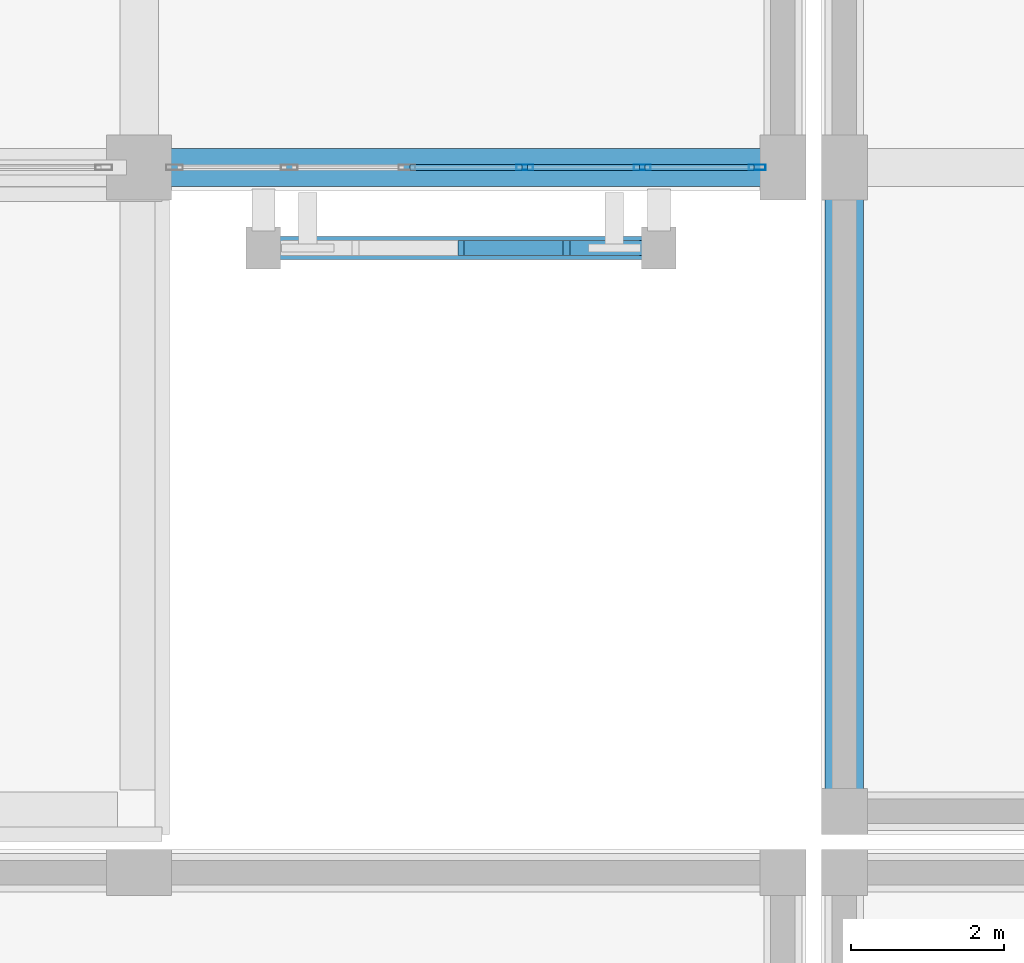
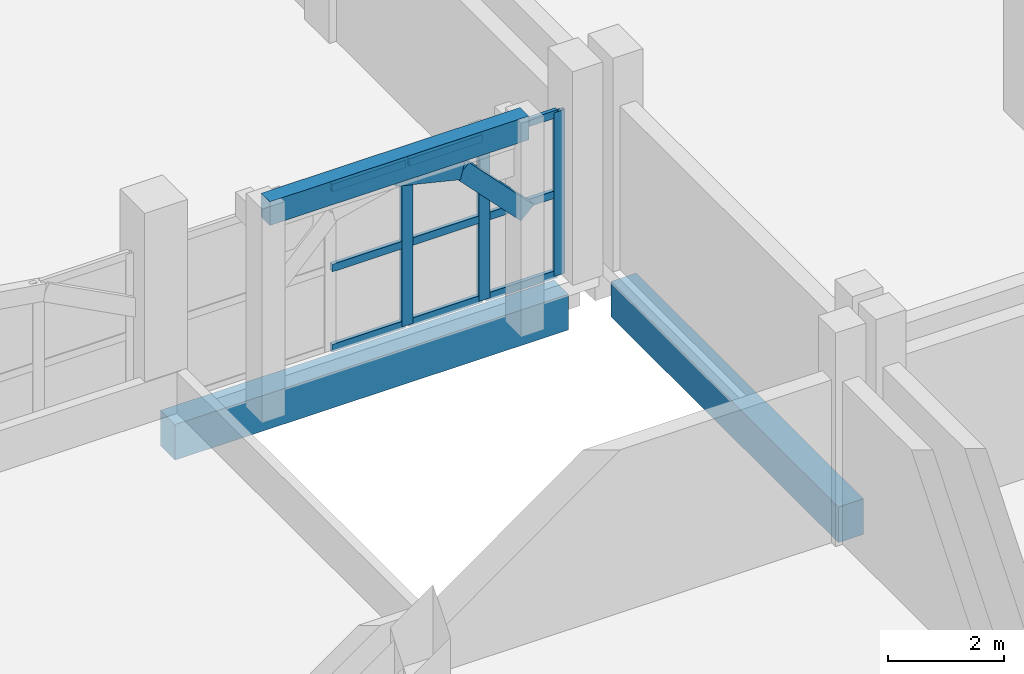
# One storey, part 42 of 137: 14 members, 3 beams, 1 element without a shape of its own.
"""IFC4 building model written with IfcOpenShell, lengths in metres."""

from ifc_helpers import new_model, si_unit, direction, frame, origin, origin_2d, place, context, subcontext, project, spatial, rectangle, hollow_rectangle, extrude, material, layer, layer_set, material_profile, profile_set, type_object, element, aggregate, save


model = new_model("IFC4")

# Units and contexts
model_context = context("Model", 3, precision=1e-05, world=origin(), true_north=direction((0.0, 1.0)))
body_context = subcontext(model_context, "Body", "Model", "MODEL_VIEW")
ifc_project = project(units=[si_unit("LENGTHUNIT", "METRE"), si_unit("AREAUNIT", "SQUARE_METRE"), si_unit("VOLUMEUNIT", "CUBIC_METRE"), si_unit("PLANEANGLEUNIT", "RADIAN"), si_unit("MASSUNIT", "GRAM", prefix="KILO")], contexts=[model_context])

# Site, building, storey
site_placement = place(None, origin())
site = spatial("IfcSite", under=ifc_project, at=site_placement, CompositionType="ELEMENT")
building_placement = place(site_placement, origin())
building = spatial("IfcBuilding", under=site, at=building_placement, Name="Xazarin Passage Department Store", CompositionType="ELEMENT")
storey_placement = place(building_placement, frame((0.0, 0.0, 5.39990234375)))
storey = spatial("IfcBuildingStorey", under=building, at=storey_placement, Name="L01", CompositionType="ELEMENT", Elevation=5.39990234375)

# Curtain wall, members
ifc_material_1 = material(Name="Bronze anodised aluminium", Category="aluminium")
ifc_layer = layer(ifc_material_1, 0.179931640625)
ifc_layer_set = layer_set([ifc_layer], Name="Bronze anodised aluminium")
curtain_wall_type = type_object("IfcCurtainWallType", Name="ARC-CW-VIT1", PredefinedType="NOTDEFINED", material=ifc_layer_set)
curtain_wall_placement = place(storey_placement, origin())
curtain_wall = element("IfcCurtainWall", 1, at=curtain_wall_placement, inside=storey, type_object=curtain_wall_type, Name="L01 V1 Curtain Wall 009", PredefinedType="NOTDEFINED")
ifc_material_profile_1 = material_profile(ifc_material_1, hollow_rectangle(XDim=0.074951171875, YDim=0.219970703125, WallThickness=0.0048828125, at=origin_2d()), Name="ALU 75x220")
ifc_profile_set_1 = profile_set([ifc_material_profile_1], Name="Bronze anodised aluminium")
member_type_1 = type_object("IfcMemberType", Name="ARC-CWM-75x220", PredefinedType="MULLION", material=ifc_profile_set_1)
member_1_placement = place(storey_placement, frame((63.830078125, 59.60009765625, 0.0), z_axis=(0.0, 0.0, 1.0), x_axis=(0.0, 1.0, 0.0)))
member_1 = element("IfcMember", 2, at=member_1_placement, type_object=member_type_1, Name="CW1 mullion 4", PredefinedType="MULLION", context=body_context, shape_type="SweptSolid", body=[
    extrude(hollow_rectangle(XDim=0.074951171875, YDim=0.219970703125, WallThickness=0.0048828125, at=origin_2d()), origin(), (0.0, 0.0, 1.0), 3.4501953125),
])
member_2_placement = place(storey_placement, frame((65.364990234375, 59.60009765625, 0.0), z_axis=(0.0, 0.0, 1.0), x_axis=(0.0, 1.0, 0.0)))
member_2 = element("IfcMember", 3, at=member_2_placement, type_object=member_type_1, Name="CW1 mullion 5", PredefinedType="MULLION", context=body_context, shape_type="SweptSolid", body=[
    extrude(hollow_rectangle(XDim=0.074951171875, YDim=0.219970703125, WallThickness=0.0048828125, at=origin_2d()), origin(), (0.0, 0.0, 1.0), 3.4501953125),
])
member_3_placement = place(storey_placement, frame((66.862548828125, 59.60009765625, 0.0), z_axis=(0.0, 0.0, 1.0), x_axis=(0.0, 1.0, 0.0)))
member_3 = element("IfcMember", 4, at=member_3_placement, type_object=member_type_1, Name="CW1 mullion 6", PredefinedType="MULLION", context=body_context, shape_type="SweptSolid", body=[
    extrude(hollow_rectangle(XDim=0.074951171875, YDim=0.219970703125, WallThickness=0.0048828125, at=origin_2d()), origin(), (0.0, 0.0, 1.0), 3.4501953125),
])
ifc_material_profile_2 = material_profile(ifc_material_1, hollow_rectangle(XDim=0.074951171875, YDim=0.159912109375, WallThickness=0.00439453125, at=origin_2d()), Name="ALU 75x160")
ifc_profile_set_2 = profile_set([ifc_material_profile_2], Name="Bronze anodised aluminium")
member_type_2 = type_object("IfcMemberType", Name="ARC-CWT-75x160", PredefinedType="USERDEFINED", material=ifc_profile_set_2)
member_4_placement = place(storey_placement, frame((62.33251953125, 59.60009765625, 0.03759765625), z_axis=(1.0, 0.0, 0.0), x_axis=(0.0, 1.0, 0.0)))
member_4 = element("IfcMember", 5, at=member_4_placement, type_object=member_type_2, Name="CW1 transom 3.1", ObjectType="TRANSOM", PredefinedType="USERDEFINED", context=body_context, shape_type="SweptSolid", body=[
    extrude(hollow_rectangle(XDim=0.074951171875, YDim=0.159912109375, WallThickness=0.00439453125, at=origin_2d()), origin(), (0.0, 0.0, 1.0), 1.4599609375),
])
member_5_placement = place(storey_placement, frame((62.33251953125, 59.60009765625, 1.72509765625), z_axis=(1.0, 0.0, 0.0), x_axis=(0.0, 1.0, 0.0)))
member_5 = element("IfcMember", 6, at=member_5_placement, type_object=member_type_2, Name="CW1 transom 3.2", ObjectType="TRANSOM", PredefinedType="USERDEFINED", context=body_context, shape_type="SweptSolid", body=[
    extrude(hollow_rectangle(XDim=0.074951171875, YDim=0.159912109375, WallThickness=0.00439453125, at=origin_2d()), origin(), (0.0, 0.0, 1.0), 1.4599609375),
])
member_6_placement = place(storey_placement, frame((62.33251953125, 59.60009765625, 3.41259765625), z_axis=(1.0, 0.0, 0.0), x_axis=(0.0, 1.0, 0.0)))
member_6 = element("IfcMember", 7, at=member_6_placement, type_object=member_type_2, Name="CW1 transom 3.3", ObjectType="TRANSOM", PredefinedType="USERDEFINED", context=body_context, shape_type="SweptSolid", body=[
    extrude(hollow_rectangle(XDim=0.074951171875, YDim=0.159912109375, WallThickness=0.00439453125, at=origin_2d()), origin(), (0.0, 0.0, 1.0), 1.4599609375),
])
member_7_placement = place(storey_placement, frame((63.867431640625, 59.60009765625, 0.03759765625), z_axis=(1.0, 0.0, 0.0), x_axis=(0.0, 1.0, 0.0)))
member_7 = element("IfcMember", 8, at=member_7_placement, type_object=member_type_2, Name="CW1 transom 4.1", ObjectType="TRANSOM", PredefinedType="USERDEFINED", context=body_context, shape_type="SweptSolid", body=[
    extrude(hollow_rectangle(XDim=0.074951171875, YDim=0.159912109375, WallThickness=0.00439453125, at=origin_2d()), origin(), (0.0, 0.0, 1.0), 1.4599609375),
])
member_8_placement = place(storey_placement, frame((63.867431640625, 59.60009765625, 1.72509765625), z_axis=(1.0, 0.0, 0.0), x_axis=(0.0, 1.0, 0.0)))
member_8 = element("IfcMember", 9, at=member_8_placement, type_object=member_type_2, Name="CW1 transom 4.2", ObjectType="TRANSOM", PredefinedType="USERDEFINED", context=body_context, shape_type="SweptSolid", body=[
    extrude(hollow_rectangle(XDim=0.074951171875, YDim=0.159912109375, WallThickness=0.00439453125, at=origin_2d()), origin(), (0.0, 0.0, 1.0), 1.4599609375),
])
member_9_placement = place(storey_placement, frame((63.867431640625, 59.60009765625, 3.41259765625), z_axis=(1.0, 0.0, 0.0), x_axis=(0.0, 1.0, 0.0)))
member_9 = element("IfcMember", 10, at=member_9_placement, type_object=member_type_2, Name="CW1 transom 4.3", ObjectType="TRANSOM", PredefinedType="USERDEFINED", context=body_context, shape_type="SweptSolid", body=[
    extrude(hollow_rectangle(XDim=0.074951171875, YDim=0.159912109375, WallThickness=0.00439453125, at=origin_2d()), origin(), (0.0, 0.0, 1.0), 1.4599609375),
])
member_10_placement = place(storey_placement, frame((65.402587890625, 59.60009765625, 0.03759765625), z_axis=(1.0, 0.0, 0.0), x_axis=(0.0, 1.0, 0.0)))
member_10 = element("IfcMember", 11, at=member_10_placement, type_object=member_type_2, Name="CW1 transom 5.1", ObjectType="TRANSOM", PredefinedType="USERDEFINED", context=body_context, shape_type="SweptSolid", body=[
    extrude(hollow_rectangle(XDim=0.074951171875, YDim=0.159912109375, WallThickness=0.00439453125, at=origin_2d()), origin(), (0.0, 0.0, 1.0), 1.42236328125),
])
member_11_placement = place(storey_placement, frame((65.402587890625, 59.60009765625, 1.72509765625), z_axis=(1.0, 0.0, 0.0), x_axis=(0.0, 1.0, 0.0)))
member_11 = element("IfcMember", 12, at=member_11_placement, type_object=member_type_2, Name="CW1 transom 5.2", ObjectType="TRANSOM", PredefinedType="USERDEFINED", context=body_context, shape_type="SweptSolid", body=[
    extrude(hollow_rectangle(XDim=0.074951171875, YDim=0.159912109375, WallThickness=0.00439453125, at=origin_2d()), origin(), (0.0, 0.0, 1.0), 1.42236328125),
])
member_12_placement = place(storey_placement, frame((65.402587890625, 59.60009765625, 3.41259765625), z_axis=(1.0, 0.0, 0.0), x_axis=(0.0, 1.0, 0.0)))
member_12 = element("IfcMember", 13, at=member_12_placement, type_object=member_type_2, Name="CW1 transom 5.3", ObjectType="TRANSOM", PredefinedType="USERDEFINED", context=body_context, shape_type="SweptSolid", body=[
    extrude(hollow_rectangle(XDim=0.074951171875, YDim=0.159912109375, WallThickness=0.00439453125, at=origin_2d()), origin(), (0.0, 0.0, 1.0), 1.42236328125),
])
aggregate(curtain_wall, [member_1, member_2, member_3, member_4, member_5, member_6, member_7, member_8, member_9, member_10, member_11, member_12])

# Beams
ifc_material_2 = material(Name="Concrete C35/45", Category="concrete")
ifc_material_profile_3 = material_profile(ifc_material_2, rectangle(XDim=0.300048828125, YDim=0.5, at=origin_2d()), Name="RC 300x500")
ifc_profile_set_3 = profile_set([ifc_material_profile_3], Name="Concrete C35/45")
beam_type_1 = type_object("IfcBeamType", Name="STR-BM-LN300x500", PredefinedType="LINTEL", material=ifc_profile_set_3)
beam_1_placement = place(storey_placement, frame((60.419921875, 58.550048828125, 4.25), z_axis=(1.0, 0.0, 0.0), x_axis=(0.0, 1.0, 0.0)))
element("IfcBeam", 14, at=beam_1_placement, inside=storey, type_object=beam_type_1, Name="L01 V1 Colonnade Spandrel Beam 006", PredefinedType="LINTEL", context=body_context, shape_type="SweptSolid", body=[
    extrude(rectangle(XDim=0.300048828125, YDim=0.5, at=origin_2d()), origin(), (0.0, 0.0, 1.0), 5.16015625),
])
ifc_material_profile_4 = material_profile(ifc_material_2, rectangle(XDim=0.5, YDim=0.75, at=origin_2d()), Name="RC 500x750")
ifc_profile_set_4 = profile_set([ifc_material_profile_4], Name="Concrete C35/45")
beam_type_2 = type_object("IfcBeamType", Name="STR-BM-SP500x750", PredefinedType="SPANDREL", material=ifc_profile_set_4)
beam_2_placement = place(storey_placement, frame((59.080078125, 59.60009765625, -0.6748046875), z_axis=(1.0, 0.0, 0.0), x_axis=(0.0, 1.0, 0.0)))
element("IfcBeam", 15, at=beam_2_placement, inside=storey, type_object=beam_type_2, Name="L01 Grid Beam J/8-9", PredefinedType="SPANDREL", context=body_context, shape_type="SweptSolid", body=[
    extrude(rectangle(XDim=0.5, YDim=0.75, at=origin_2d()), origin(), (0.0, 0.0, 1.0), 7.83984375),
])
beam_3_placement = place(storey_placement, frame((68.0, 51.47998046875, -0.6748046875), z_axis=(0.0, 1.0, 0.0), x_axis=(-1.0, 0.0, 0.0)))
element("IfcBeam", 16, at=beam_3_placement, inside=storey, type_object=beam_type_2, Name="L01 Grid Beam 10/H-J", PredefinedType="SPANDREL", context=body_context, shape_type="SweptSolid", body=[
    extrude(rectangle(XDim=0.5, YDim=0.75, at=origin_2d()), origin(), (0.0, 0.0, 1.0), 7.840087890625),
])

# Members
ifc_material_3 = material(Name="Concrete C40/50", Category="concrete")
ifc_material_profile_5 = material_profile(ifc_material_3, rectangle(XDim=0.199951171875, YDim=0.360107421875, at=origin_2d()), Name="RC 200x360")
ifc_profile_set_5 = profile_set([ifc_material_profile_5], Name="Concrete C40/50")
member_type_3 = type_object("IfcMemberType", Name="STR-MEM-ARC360", PredefinedType="CHORD", material=ifc_profile_set_5)
member_13_placement = place(storey_placement, frame((63.0, 58.550048828125, 4.080078125), z_axis=(0.972393983317, 0.0, -0.233345111818), x_axis=(0.0, 1.0, 0.0)))
element("IfcMember", 17, at=member_13_placement, inside=storey, type_object=member_type_3, Name="L01 V1 Pierced Lattice Curved Arch 006.3", PredefinedType="CHORD", context=body_context, shape_type="SweptSolid", body=[
    extrude(rectangle(XDim=0.199951171875, YDim=0.360107421875, at=origin_2d()), origin(), (0.0, 0.0, 1.0), 1.32666015625),
])
member_14_placement = place(storey_placement, frame((64.2900390625, 58.550048828125, 3.7705078125), z_axis=(0.693460080602, 0.0, -0.720495049679), x_axis=(0.0, 1.0, 0.0)))
element("IfcMember", 18, at=member_14_placement, inside=storey, type_object=member_type_3, Name="L01 V1 Pierced Lattice Curved Arch 006.4", PredefinedType="CHORD", context=body_context, shape_type="SweptSolid", body=[
    extrude(rectangle(XDim=0.199951171875, YDim=0.360107421875, at=origin_2d()), origin(), (0.0, 0.0, 1.0), 1.8603515625),
])

save(model, "model.ifc")
